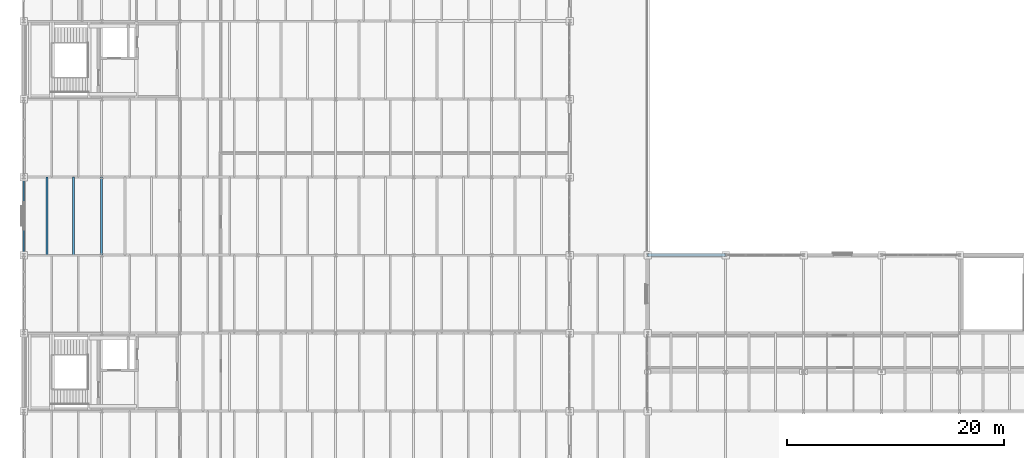
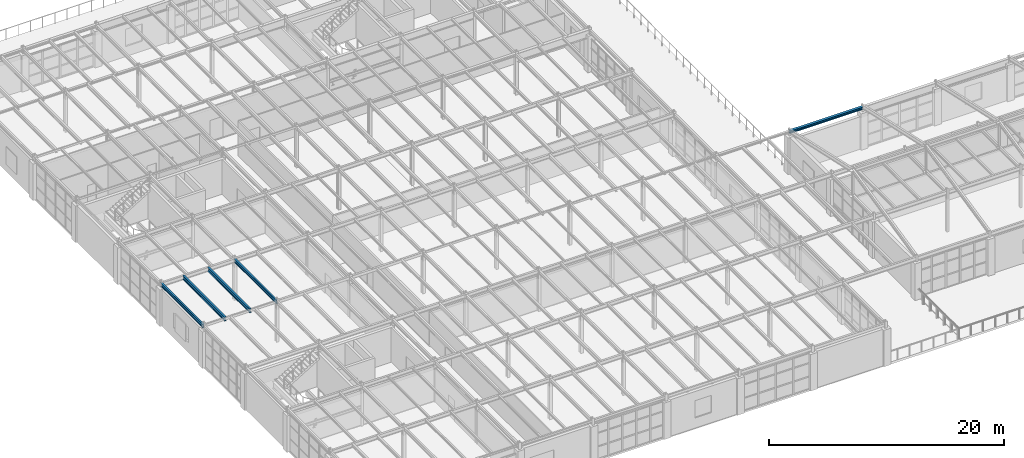
# One storey, part 35 of 101: 5 beams.
"""IFC4 building model written with IfcOpenShell, lengths in metres."""

from ifc_helpers import new_model, si_unit, direction, frame, origin, origin_2d, place, context, subcontext, project, spatial, i_section, extrude, material, material_profile, profile_set, type_object, element, save


model = new_model("IFC4")

# Units and contexts
model_context = context("Model", 3, precision=1e-05, world=origin(), true_north=direction((0.0, 1.0)))
body_context = subcontext(model_context, "Body", "Model", "MODEL_VIEW")
ifc_project = project(units=[si_unit("LENGTHUNIT", "METRE"), si_unit("AREAUNIT", "SQUARE_METRE"), si_unit("VOLUMEUNIT", "CUBIC_METRE"), si_unit("PLANEANGLEUNIT", "RADIAN"), si_unit("MASSUNIT", "GRAM", prefix="KILO")], contexts=[model_context])

# Site, building, storey
site_placement = place(None, origin())
site = spatial("IfcSite", under=ifc_project, at=site_placement, CompositionType="ELEMENT")
building_placement = place(site_placement, origin())
building = spatial("IfcBuilding", under=site, at=building_placement, Name="Kemerveld Promenade Tramway Depot", CompositionType="ELEMENT")
storey_placement = place(building_placement, frame((0.0, 0.0, 9.89990234375)))
storey = spatial("IfcBuildingStorey", under=building, at=storey_placement, Name="L02", CompositionType="ELEMENT", Elevation=9.89990234375)

# Beams
ifc_material = material(Name="Steel S355", Category="steel")
ifc_material_profile_1 = material_profile(ifc_material, i_section(OverallWidth=0.172119140625, OverallDepth=0.35791015625, WebThickness=0.008056640625, FlangeThickness=0.012939453125, FilletRadius=0.01025390625, at=origin_2d()), Name="356x171x57 UB")
ifc_profile_set_1 = profile_set([ifc_material_profile_1], Name="Steel S355")
beam_type_1 = type_object("IfcBeamType", Name="BM-G08", PredefinedType="BEAM", material=ifc_profile_set_1)
for number, where, z_axis, x_axis, name in (
    (1, (0.0, 28.800048828125, 4.106201171875), (0.0, 1.0, 0.0), (-1.0, 0.0, 0.0), "BMY-L02-01-E-F"),
    (2, (7.199951171875, 28.800048828125, 4.106201171875), (0.0, 1.0, 0.0), (-1.0, 0.0, 0.0), "BMY-L02-02-E-F"),
):
    element("IfcBeam", number, at=place(storey_placement, frame(where, z_axis=z_axis, x_axis=x_axis)), inside=storey, type_object=beam_type_1, Name=name, PredefinedType="BEAM", context=body_context, shape_type="SweptSolid", body=[
        extrude(i_section(OverallWidth=0.172119140625, OverallDepth=0.35791015625, WebThickness=0.008056640625, FlangeThickness=0.012939453125, FilletRadius=0.01025390625, at=origin_2d()), origin(), (0.0, 0.0, 1.0), 7.199951171875),
    ])
ifc_material_profile_2 = material_profile(ifc_material, i_section(OverallWidth=0.1787109375, OverallDepth=0.409423828125, WebThickness=0.0087890625, FlangeThickness=0.014404296875, FilletRadius=0.01025390625, at=origin_2d()), Name="406x178x67 UB")
ifc_profile_set_2 = profile_set([ifc_material_profile_2], Name="Steel S355")
beam_type_2 = type_object("IfcBeamType", Name="BM-J05", PredefinedType="JOIST", material=ifc_profile_set_2)
for number, where, z_axis, x_axis, name in (
    (3, (2.159912109375, 28.800048828125, 4.080322265625), (0.0, 1.0, 0.0), (-1.0, 0.0, 0.0), "JST-L02-01-E-1"),
    (4, (4.60791015625, 28.800048828125, 4.080322265625), (0.0, 1.0, 0.0), (-1.0, 0.0, 0.0), "JST-L02-01-E-2"),
):
    element("IfcBeam", number, at=place(storey_placement, frame(where, z_axis=z_axis, x_axis=x_axis)), inside=storey, type_object=beam_type_2, Name=name, PredefinedType="JOIST", context=body_context, shape_type="SweptSolid", body=[
        extrude(i_section(OverallWidth=0.1787109375, OverallDepth=0.409423828125, WebThickness=0.0087890625, FlangeThickness=0.014404296875, FilletRadius=0.01025390625, at=origin_2d()), origin(), (0.0, 0.0, 1.0), 7.199951171875),
    ])
ifc_material_profile_3 = material_profile(ifc_material, i_section(OverallWidth=0.25634765625, OverallDepth=0.26025390625, WebThickness=0.01025390625, FlangeThickness=0.017333984375, FilletRadius=0.0126953125, at=origin_2d()), Name="254x254x89 UC")
ifc_profile_set_3 = profile_set([ifc_material_profile_3], Name="Steel S355")
beam_type_3 = type_object("IfcBeamType", Name="BM-LN4", PredefinedType="LINTEL", material=ifc_profile_set_3)
beam_placement = place(storey_placement, frame((57.60009765625, 28.800048828125, 4.14501953125), z_axis=(1.0, 0.0, 0.0), x_axis=(0.0, 1.0, 0.0)))
element("IfcBeam", 5, at=beam_placement, inside=storey, type_object=beam_type_3, Name="BMX-L02-09-10-E", PredefinedType="LINTEL", context=body_context, shape_type="SweptSolid", body=[
    extrude(i_section(OverallWidth=0.25634765625, OverallDepth=0.26025390625, WebThickness=0.01025390625, FlangeThickness=0.017333984375, FilletRadius=0.0126953125, at=origin_2d()), origin(), (0.0, 0.0, 1.0), 7.199951171875),
])

save(model, "model.ifc")
